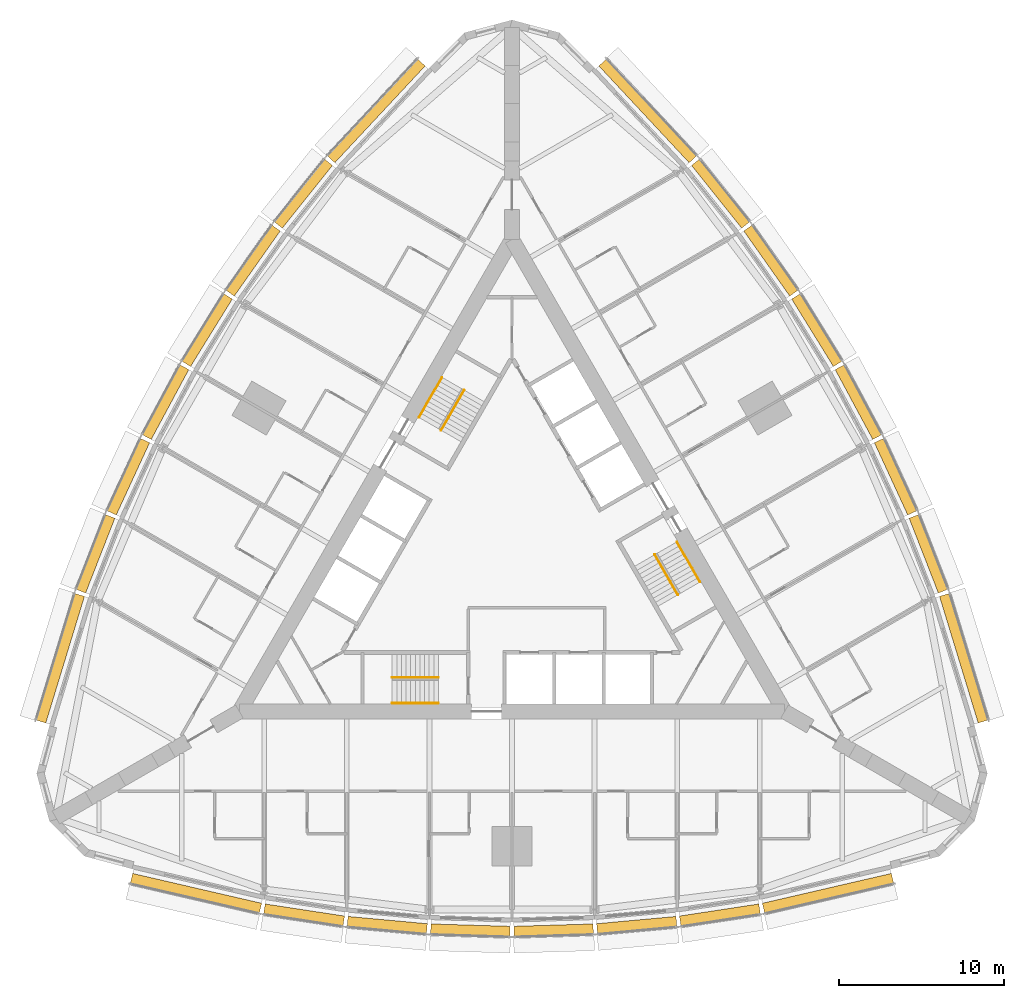
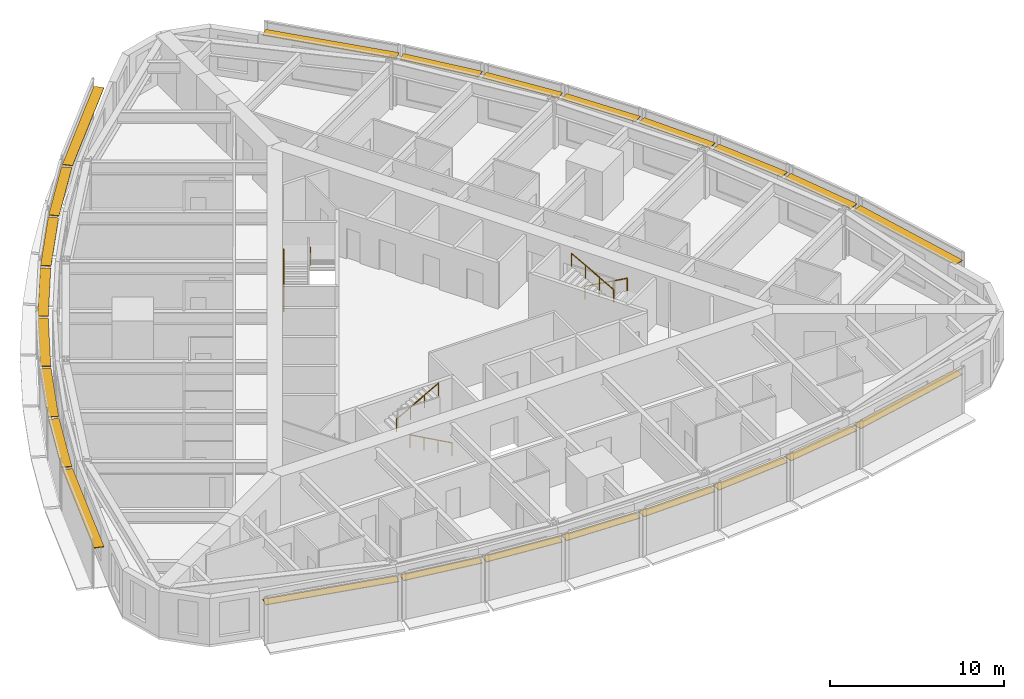
# One storey, part 14 of 14: 24 shading devices, 6 railings.
"""IFC4 building model written with IfcOpenShell, lengths in metres."""

from ifc_helpers import new_model, si_unit, direction, frame, origin, origin_2d, place, context, subcontext, project, spatial, rectangle, circle, extrude, material, type_object, element, save


model = new_model("IFC4")

# Units and contexts
model_context = context("Model", 3, precision=1e-05, world=origin(), true_north=direction((0.0, 1.0)))
body_context = subcontext(model_context, "Body", "Model", "MODEL_VIEW")
ifc_project = project(units=[si_unit("LENGTHUNIT", "METRE"), si_unit("AREAUNIT", "SQUARE_METRE"), si_unit("VOLUMEUNIT", "CUBIC_METRE"), si_unit("PLANEANGLEUNIT", "RADIAN"), si_unit("MASSUNIT", "GRAM", prefix="KILO")], contexts=[model_context])

# Site, building, storey
site_placement = place(None, origin())
site = spatial("IfcSite", under=ifc_project, at=site_placement, CompositionType="ELEMENT")
building_placement = place(site_placement, origin())
building = spatial("IfcBuilding", under=site, at=building_placement, Name="Trikona Tower", CompositionType="ELEMENT")
storey_placement = place(building_placement, frame((0.0, 0.0, 69.300048828125)))
storey = spatial("IfcBuildingStorey", under=building, at=storey_placement, Name="L17", CompositionType="ELEMENT", Elevation=69.300048828125)

# Shading devices
ifc_material_1 = material(Name="Aluminium louvre blade, pale anodised", Category="aluminium")
shading_device_type = type_object("IfcShadingDeviceType", Name="Cavity louvre 600", PredefinedType="USERDEFINED", material=ifc_material_1)
shading_device_1_placement = place(storey_placement, frame((-19.126220703125, -20.5234375, 2.77490234375), z_axis=(0.0, 0.0, 1.0), x_axis=(0.974277718622, -0.225350675607, 0.0)))
element("IfcShadingDevice", 1, at=shading_device_1_placement, inside=storey, type_object=shading_device_type, Name="Cavity louvre L17-00", ObjectType="LOUVRE", PredefinedType="USERDEFINED", context=body_context, shape_type="SweptSolid", body=[
    extrude(rectangle(XDim=8.01123046875, YDim=0.60009765625, at=origin_2d()), origin(), (0.0, 0.0, 1.0), 0.050048828125),
])
shading_device_2_placement = place(storey_placement, frame((-12.584228515625, -21.837158203125, 2.77490234375), z_axis=(0.0, 0.0, 1.0), x_axis=(0.988617896768, -0.150448177754, 0.0)))
element("IfcShadingDevice", 2, at=shading_device_2_placement, inside=storey, type_object=shading_device_type, Name="Cavity louvre L17-01", ObjectType="LOUVRE", PredefinedType="USERDEFINED", context=body_context, shape_type="SweptSolid", body=[
    extrude(rectangle(XDim=4.857666015625, YDim=0.60009765625, at=origin_2d()), origin(), (0.0, 0.0, 1.0), 0.050048828125),
])
shading_device_3_placement = place(storey_placement, frame((-7.55078125, -22.44970703125, 2.77490234375), z_axis=(0.0, 0.0, 1.0), x_axis=(0.995858098326, -0.090921108655, 0.0)))
element("IfcShadingDevice", 3, at=shading_device_3_placement, inside=storey, type_object=shading_device_type, Name="Cavity louvre L17-02", ObjectType="LOUVRE", PredefinedType="USERDEFINED", context=body_context, shape_type="SweptSolid", body=[
    extrude(rectangle(XDim=4.82080078125, YDim=0.60009765625, at=origin_2d()), origin(), (0.0, 0.0, 1.0), 0.050048828125),
])
for number, where, z_axis, x_axis, name in (
    (4, (-2.51708984375, -22.756103515625, 2.77490234375), (0.0, 0.0, 1.0), (0.999537048889, -0.030425119525, 0.0), "Cavity louvre L17-03"),
    (5, (2.51708984375, -22.756103515625, 2.77490234375), (0.0, 0.0, 1.0), (0.999537048889, 0.030425119525, 0.0), "Cavity louvre L17-04"),
):
    element("IfcShadingDevice", number, at=place(storey_placement, frame(where, z_axis=z_axis, x_axis=x_axis)), inside=storey, type_object=shading_device_type, Name=name, ObjectType="LOUVRE", PredefinedType="USERDEFINED", context=body_context, shape_type="SweptSolid", body=[
        extrude(rectangle(XDim=4.80224609375, YDim=0.60009765625, at=origin_2d()), origin(), (0.0, 0.0, 1.0), 0.050048828125),
    ])
shading_device_4_placement = place(storey_placement, frame((7.55078125, -22.44970703125, 2.77490234375), z_axis=(0.0, 0.0, 1.0), x_axis=(0.995858098326, 0.090921108655, 0.0)))
element("IfcShadingDevice", 6, at=shading_device_4_placement, inside=storey, type_object=shading_device_type, Name="Cavity louvre L17-05", ObjectType="LOUVRE", PredefinedType="USERDEFINED", context=body_context, shape_type="SweptSolid", body=[
    extrude(rectangle(XDim=4.82080078125, YDim=0.60009765625, at=origin_2d()), origin(), (0.0, 0.0, 1.0), 0.050048828125),
])
shading_device_5_placement = place(storey_placement, frame((12.584228515625, -21.837158203125, 2.77490234375), z_axis=(0.0, 0.0, 1.0), x_axis=(0.988617896768, 0.150448177754, 0.0)))
element("IfcShadingDevice", 7, at=shading_device_5_placement, inside=storey, type_object=shading_device_type, Name="Cavity louvre L17-06", ObjectType="LOUVRE", PredefinedType="USERDEFINED", context=body_context, shape_type="SweptSolid", body=[
    extrude(rectangle(XDim=4.857666015625, YDim=0.60009765625, at=origin_2d()), origin(), (0.0, 0.0, 1.0), 0.050048828125),
])
for number, where, z_axis, x_axis, name in (
    (8, (19.126220703125, -20.5234375, 2.77490234375), (0.0, 0.0, 1.0), (0.974277718622, 0.225350675607, 0.0), "Cavity louvre L17-07"),
    (9, (27.3369140625, -6.302001953125, 2.77490234375), (0.0, 0.0, 1.0), (-0.291979449475, 0.956424592471, 0.0), "Cavity louvre L17-12"),
):
    element("IfcShadingDevice", number, at=place(storey_placement, frame(where, z_axis=z_axis, x_axis=x_axis)), inside=storey, type_object=shading_device_type, Name=name, ObjectType="LOUVRE", PredefinedType="USERDEFINED", context=body_context, shape_type="SweptSolid", body=[
        extrude(rectangle(XDim=8.01123046875, YDim=0.60009765625, at=origin_2d()), origin(), (0.0, 0.0, 1.0), 0.050048828125),
    ])
shading_device_6_placement = place(storey_placement, frame((25.20361328125, 0.020263671875, 2.77490234375), z_axis=(0.0, 0.0, 1.0), x_axis=(-0.364008876551, 0.931395478726, 0.0)))
element("IfcShadingDevice", 10, at=shading_device_6_placement, inside=storey, type_object=shading_device_type, Name="Cavity louvre L17-13", ObjectType="LOUVRE", PredefinedType="USERDEFINED", context=body_context, shape_type="SweptSolid", body=[
    extrude(rectangle(XDim=4.857666015625, YDim=0.60009765625, at=origin_2d()), origin(), (0.0, 0.0, 1.0), 0.050048828125),
])
shading_device_7_placement = place(storey_placement, frame((23.217529296875, 4.685546875, 2.77490234375), z_axis=(0.0, 0.0, 1.0), x_axis=(-0.41919381307, 0.907896771161, 0.0)))
element("IfcShadingDevice", 11, at=shading_device_7_placement, inside=storey, type_object=shading_device_type, Name="Cavity louvre L17-14", ObjectType="LOUVRE", PredefinedType="USERDEFINED", context=body_context, shape_type="SweptSolid", body=[
    extrude(rectangle(XDim=4.82080078125, YDim=0.60009765625, at=origin_2d()), origin(), (0.0, 0.0, 1.0), 0.050048828125),
])
for number, where, z_axis, x_axis, name in (
    (12, (20.966064453125, 9.1982421875, 2.77490234375), (0.0, 0.0, 1.0), (-0.473422672721, 0.880835383572, 0.0), "Cavity louvre L17-15"),
    (13, (18.448974609375, 13.557861328125, 2.77490234375), (0.0, 0.0, 1.0), (-0.526118935114, 0.85041099835, 0.0), "Cavity louvre L17-16"),
):
    element("IfcShadingDevice", number, at=place(storey_placement, frame(where, z_axis=z_axis, x_axis=x_axis)), inside=storey, type_object=shading_device_type, Name=name, ObjectType="LOUVRE", PredefinedType="USERDEFINED", context=body_context, shape_type="SweptSolid", body=[
        extrude(rectangle(XDim=4.80224609375, YDim=0.60009765625, at=origin_2d()), origin(), (0.0, 0.0, 1.0), 0.050048828125),
    ])
shading_device_8_placement = place(storey_placement, frame((15.666748046875, 17.76416015625, 2.77490234375), z_axis=(0.0, 0.0, 1.0), x_axis=(-0.576661909499, 0.816982889743, 0.0)))
element("IfcShadingDevice", 14, at=shading_device_8_placement, inside=storey, type_object=shading_device_type, Name="Cavity louvre L17-17", ObjectType="LOUVRE", PredefinedType="USERDEFINED", context=body_context, shape_type="SweptSolid", body=[
    extrude(rectangle(XDim=4.82080078125, YDim=0.60009765625, at=origin_2d()), origin(), (0.0, 0.0, 1.0), 0.050048828125),
])
shading_device_9_placement = place(storey_placement, frame((12.619384765625, 21.81689453125, 2.77490234375), z_axis=(0.0, 0.0, 1.0), x_axis=(-0.624603618277, 0.780941944087, 0.0)))
element("IfcShadingDevice", 15, at=shading_device_9_placement, inside=storey, type_object=shading_device_type, Name="Cavity louvre L17-18", ObjectType="LOUVRE", PredefinedType="USERDEFINED", context=body_context, shape_type="SweptSolid", body=[
    extrude(rectangle(XDim=4.857666015625, YDim=0.60009765625, at=origin_2d()), origin(), (0.0, 0.0, 1.0), 0.050048828125),
])
for number, where, z_axis, x_axis, name in (
    (16, (8.210693359375, 26.825439453125, 2.77490234375), (0.0, 0.0, 1.0), (-0.682298269147, 0.731073916864, 0.0), "Cavity louvre L17-19"),
    (17, (-8.210693359375, 26.825439453125, 2.77490234375), (0.0, 0.0, 1.0), (-0.682298269147, -0.731073916864, 0.0), "Cavity louvre L17-24"),
):
    element("IfcShadingDevice", number, at=place(storey_placement, frame(where, z_axis=z_axis, x_axis=x_axis)), inside=storey, type_object=shading_device_type, Name=name, ObjectType="LOUVRE", PredefinedType="USERDEFINED", context=body_context, shape_type="SweptSolid", body=[
        extrude(rectangle(XDim=8.01123046875, YDim=0.60009765625, at=origin_2d()), origin(), (0.0, 0.0, 1.0), 0.050048828125),
    ])
shading_device_10_placement = place(storey_placement, frame((-12.619384765625, 21.81689453125, 2.77490234375), z_axis=(0.0, 0.0, 1.0), x_axis=(-0.624603618277, -0.780941944087, 0.0)))
element("IfcShadingDevice", 18, at=shading_device_10_placement, inside=storey, type_object=shading_device_type, Name="Cavity louvre L17-25", ObjectType="LOUVRE", PredefinedType="USERDEFINED", context=body_context, shape_type="SweptSolid", body=[
    extrude(rectangle(XDim=4.857666015625, YDim=0.60009765625, at=origin_2d()), origin(), (0.0, 0.0, 1.0), 0.050048828125),
])
shading_device_11_placement = place(storey_placement, frame((-15.666748046875, 17.76416015625, 2.77490234375), z_axis=(0.0, 0.0, 1.0), x_axis=(-0.576661909499, -0.816982889743, 0.0)))
element("IfcShadingDevice", 19, at=shading_device_11_placement, inside=storey, type_object=shading_device_type, Name="Cavity louvre L17-26", ObjectType="LOUVRE", PredefinedType="USERDEFINED", context=body_context, shape_type="SweptSolid", body=[
    extrude(rectangle(XDim=4.82080078125, YDim=0.60009765625, at=origin_2d()), origin(), (0.0, 0.0, 1.0), 0.050048828125),
])
for number, where, z_axis, x_axis, name in (
    (20, (-18.448974609375, 13.557861328125, 2.77490234375), (0.0, 0.0, 1.0), (-0.526118935114, -0.85041099835, 0.0), "Cavity louvre L17-27"),
    (21, (-20.966064453125, 9.1982421875, 2.77490234375), (0.0, 0.0, 1.0), (-0.473422672721, -0.880835383572, 0.0), "Cavity louvre L17-28"),
):
    element("IfcShadingDevice", number, at=place(storey_placement, frame(where, z_axis=z_axis, x_axis=x_axis)), inside=storey, type_object=shading_device_type, Name=name, ObjectType="LOUVRE", PredefinedType="USERDEFINED", context=body_context, shape_type="SweptSolid", body=[
        extrude(rectangle(XDim=4.80224609375, YDim=0.60009765625, at=origin_2d()), origin(), (0.0, 0.0, 1.0), 0.050048828125),
    ])
shading_device_12_placement = place(storey_placement, frame((-23.217529296875, 4.685546875, 2.77490234375), z_axis=(0.0, 0.0, 1.0), x_axis=(-0.41919381307, -0.907896771161, 0.0)))
element("IfcShadingDevice", 22, at=shading_device_12_placement, inside=storey, type_object=shading_device_type, Name="Cavity louvre L17-29", ObjectType="LOUVRE", PredefinedType="USERDEFINED", context=body_context, shape_type="SweptSolid", body=[
    extrude(rectangle(XDim=4.82080078125, YDim=0.60009765625, at=origin_2d()), origin(), (0.0, 0.0, 1.0), 0.050048828125),
])
shading_device_13_placement = place(storey_placement, frame((-25.20361328125, 0.020263671875, 2.77490234375), z_axis=(0.0, 0.0, 1.0), x_axis=(-0.364008876551, -0.931395478726, 0.0)))
element("IfcShadingDevice", 23, at=shading_device_13_placement, inside=storey, type_object=shading_device_type, Name="Cavity louvre L17-30", ObjectType="LOUVRE", PredefinedType="USERDEFINED", context=body_context, shape_type="SweptSolid", body=[
    extrude(rectangle(XDim=4.857666015625, YDim=0.60009765625, at=origin_2d()), origin(), (0.0, 0.0, 1.0), 0.050048828125),
])
shading_device_14_placement = place(storey_placement, frame((-27.3369140625, -6.302001953125, 2.77490234375), z_axis=(0.0, 0.0, 1.0), x_axis=(-0.291979449475, -0.956424592471, 0.0)))
element("IfcShadingDevice", 24, at=shading_device_14_placement, inside=storey, type_object=shading_device_type, Name="Cavity louvre L17-31", ObjectType="LOUVRE", PredefinedType="USERDEFINED", context=body_context, shape_type="SweptSolid", body=[
    extrude(rectangle(XDim=8.01123046875, YDim=0.60009765625, at=origin_2d()), origin(), (0.0, 0.0, 1.0), 0.050048828125),
])

# Railings
ifc_material_2 = material(Name="Stainless steel handrail", Category="steel")
railing_type = type_object("IfcRailingType", Name="Stair handrail", PredefinedType="HANDRAIL", material=ifc_material_2)
railing_1_placement = place(storey_placement, frame((-4.449951171875, -9.016357421875, 0.154541015625)))
element("IfcRailing", 25, at=railing_1_placement, inside=storey, type_object=railing_type, Name="Stair handrail A L17 1", PredefinedType="HANDRAIL", context=body_context, shape_type="SweptSolid", body=[
    extrude(circle(Radius=0.02392578125, at=origin_2d()), frame((0.0, 0.0, 0.8759765625), z_axis=(-0.875504190374, 0.0, 0.483210526207), x_axis=(0.0, -1.0, 0.0)), (0.0, 0.0, 1.0), 3.1982421875),
    extrude(circle(Radius=0.02099609375, at=origin_2d()), origin(), (0.0, 0.0, 1.0), 0.851806640625),
    extrude(circle(Radius=0.02099609375, at=origin_2d()), frame((-0.933349609375, 0.0, 0.51513671875)), (0.0, 0.0, 1.0), 0.851806640625),
    extrude(circle(Radius=0.02099609375, at=origin_2d()), frame((-1.86669921875, 0.0, 1.0302734375)), (0.0, 0.0, 1.0), 0.851806640625),
    extrude(circle(Radius=0.02099609375, at=origin_2d()), frame((-2.800048828125, 0.0, 1.54541015625)), (0.0, 0.0, 1.0), 0.851806640625),
])
railing_2_placement = place(storey_placement, frame((-7.25, -7.46630859375, 1.8544921875)))
element("IfcRailing", 26, at=railing_2_placement, inside=storey, type_object=railing_type, Name="Stair handrail A L17 2", PredefinedType="HANDRAIL", context=body_context, shape_type="SweptSolid", body=[
    extrude(circle(Radius=0.02392578125, at=origin_2d()), frame((0.0, 0.0, 0.8759765625), z_axis=(0.875504190374, 0.0, 0.483210526207), x_axis=(0.0, 1.0, 0.0)), (0.0, 0.0, 1.0), 3.1982421875),
    extrude(circle(Radius=0.02099609375, at=origin_2d()), origin(), (0.0, 0.0, 1.0), 0.851806640625),
    extrude(circle(Radius=0.02099609375, at=origin_2d()), frame((0.933349609375, 0.0, 0.51513671875)), (0.0, 0.0, 1.0), 0.851806640625),
    extrude(circle(Radius=0.02099609375, at=origin_2d()), frame((1.86669921875, 0.0, 1.0302734375)), (0.0, 0.0, 1.0), 0.851806640625),
    extrude(circle(Radius=0.02099609375, at=origin_2d()), frame((2.800048828125, 0.0, 1.54541015625)), (0.0, 0.0, 1.0), 0.851806640625),
])
railing_3_placement = place(storey_placement, frame((9.9833984375, 0.740966796875, 0.154541015625)))
element("IfcRailing", 27, at=railing_3_placement, inside=storey, type_object=railing_type, Name="Stair handrail B L17 1", PredefinedType="HANDRAIL", context=body_context, shape_type="SweptSolid", body=[
    extrude(circle(Radius=0.02392578125, at=origin_2d()), frame((0.0, 0.0, 0.8759765625), z_axis=(0.437707188162, -0.758239536103, 0.483203087036), x_axis=(0.866056369097, 0.49994636267, 0.0)), (0.0, 0.0, 1.0), 3.1982421875),
    extrude(circle(Radius=0.02099609375, at=origin_2d()), origin(), (0.0, 0.0, 1.0), 0.851806640625),
    extrude(circle(Radius=0.02099609375, at=origin_2d()), frame((0.466552734375, -0.808349609375, 0.51513671875)), (0.0, 0.0, 1.0), 0.851806640625),
    extrude(circle(Radius=0.02099609375, at=origin_2d()), frame((0.933349609375, -1.61669921875, 1.0302734375)), (0.0, 0.0, 1.0), 0.851806640625),
    extrude(circle(Radius=0.02099609375, at=origin_2d()), frame((1.39990234375, -2.425048828125, 1.54541015625)), (0.0, 0.0, 1.0), 0.851806640625),
])
railing_4_placement = place(storey_placement, frame((10.041015625, -2.458984375, 1.8544921875)))
element("IfcRailing", 28, at=railing_4_placement, inside=storey, type_object=railing_type, Name="Stair handrail B L17 2", PredefinedType="HANDRAIL", context=body_context, shape_type="SweptSolid", body=[
    extrude(circle(Radius=0.02392578125, at=origin_2d()), frame((0.0, 0.0, 0.8759765625), z_axis=(-0.437707188162, 0.758239536103, 0.483203087036), x_axis=(-0.866056369097, -0.49994636267, 0.0)), (0.0, 0.0, 1.0), 3.1982421875),
    extrude(circle(Radius=0.02099609375, at=origin_2d()), origin(), (0.0, 0.0, 1.0), 0.851806640625),
    extrude(circle(Radius=0.02099609375, at=origin_2d()), frame((-0.466552734375, 0.808349609375, 0.51513671875)), (0.0, 0.0, 1.0), 0.851806640625),
    extrude(circle(Radius=0.02099609375, at=origin_2d()), frame((-0.933349609375, 1.61669921875, 1.0302734375)), (0.0, 0.0, 1.0), 0.851806640625),
    extrude(circle(Radius=0.02099609375, at=origin_2d()), frame((-1.39990234375, 2.425048828125, 1.54541015625)), (0.0, 0.0, 1.0), 0.851806640625),
])
railing_5_placement = place(storey_placement, frame((-5.63330078125, 8.275390625, 0.154541015625)))
element("IfcRailing", 29, at=railing_5_placement, inside=storey, type_object=railing_type, Name="Stair handrail C L17 1", PredefinedType="HANDRAIL", context=body_context, shape_type="SweptSolid", body=[
    extrude(circle(Radius=0.02392578125, at=origin_2d()), frame((0.0, 0.0, 0.8759765625), z_axis=(0.437732523806, 0.758207085183, 0.483231056102), x_axis=(-0.866034573852, 0.49998411664, 0.0)), (0.0, 0.0, 1.0), 3.197998046875),
    extrude(circle(Radius=0.02099609375, at=origin_2d()), origin(), (0.0, 0.0, 1.0), 0.851806640625),
    extrude(circle(Radius=0.02099609375, at=origin_2d()), frame((0.466552734375, 0.808349609375, 0.51513671875)), (0.0, 0.0, 1.0), 0.851806640625),
    extrude(circle(Radius=0.02099609375, at=origin_2d()), frame((0.933349609375, 1.616455078125, 1.0302734375)), (0.0, 0.0, 1.0), 0.851806640625),
    extrude(circle(Radius=0.02099609375, at=origin_2d()), frame((1.39990234375, 2.4248046875, 1.54541015625)), (0.0, 0.0, 1.0), 0.851806640625),
])
railing_6_placement = place(storey_placement, frame((-2.89111328125, 9.92529296875, 1.8544921875)))
element("IfcRailing", 30, at=railing_6_placement, inside=storey, type_object=railing_type, Name="Stair handrail C L17 2", PredefinedType="HANDRAIL", context=body_context, shape_type="SweptSolid", body=[
    extrude(circle(Radius=0.02392578125, at=origin_2d()), frame((0.0, 0.0, 0.8759765625), z_axis=(-0.437707188162, -0.758239536103, 0.483203087036), x_axis=(0.866056369097, -0.49994636267, 0.0)), (0.0, 0.0, 1.0), 3.1982421875),
    extrude(circle(Radius=0.02099609375, at=origin_2d()), origin(), (0.0, 0.0, 1.0), 0.851806640625),
    extrude(circle(Radius=0.02099609375, at=origin_2d()), frame((-0.466552734375, -0.808349609375, 0.51513671875)), (0.0, 0.0, 1.0), 0.851806640625),
    extrude(circle(Radius=0.02099609375, at=origin_2d()), frame((-0.933349609375, -1.61669921875, 1.0302734375)), (0.0, 0.0, 1.0), 0.851806640625),
    extrude(circle(Radius=0.02099609375, at=origin_2d()), frame((-1.39990234375, -2.425048828125, 1.54541015625)), (0.0, 0.0, 1.0), 0.851806640625),
])

save(model, "model.ifc")
